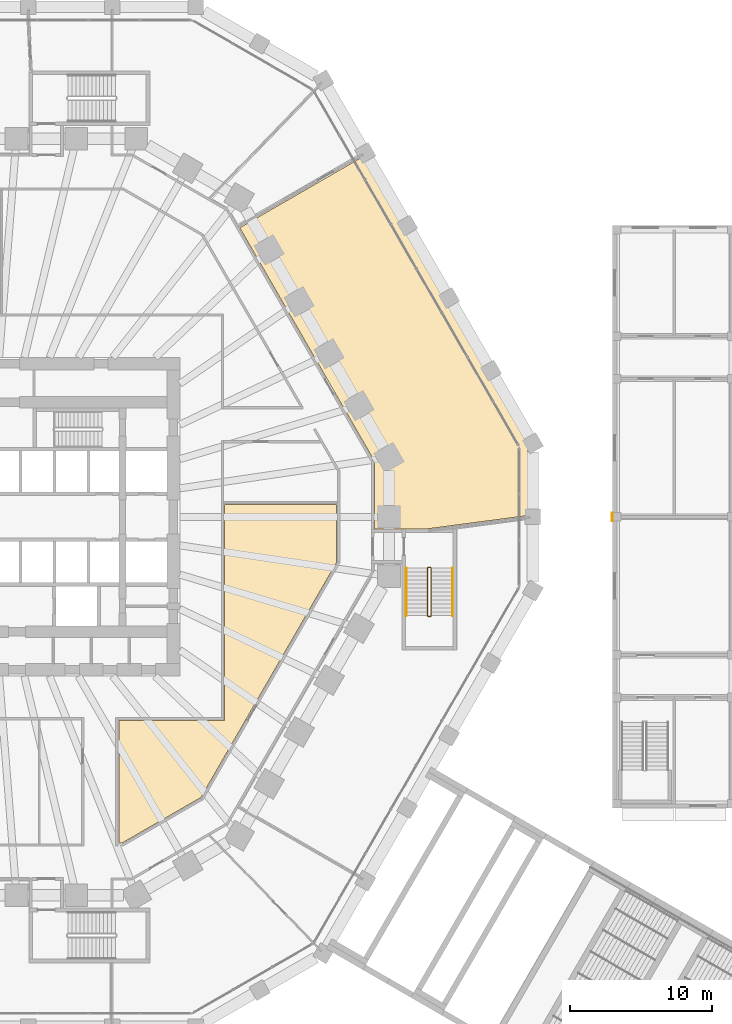
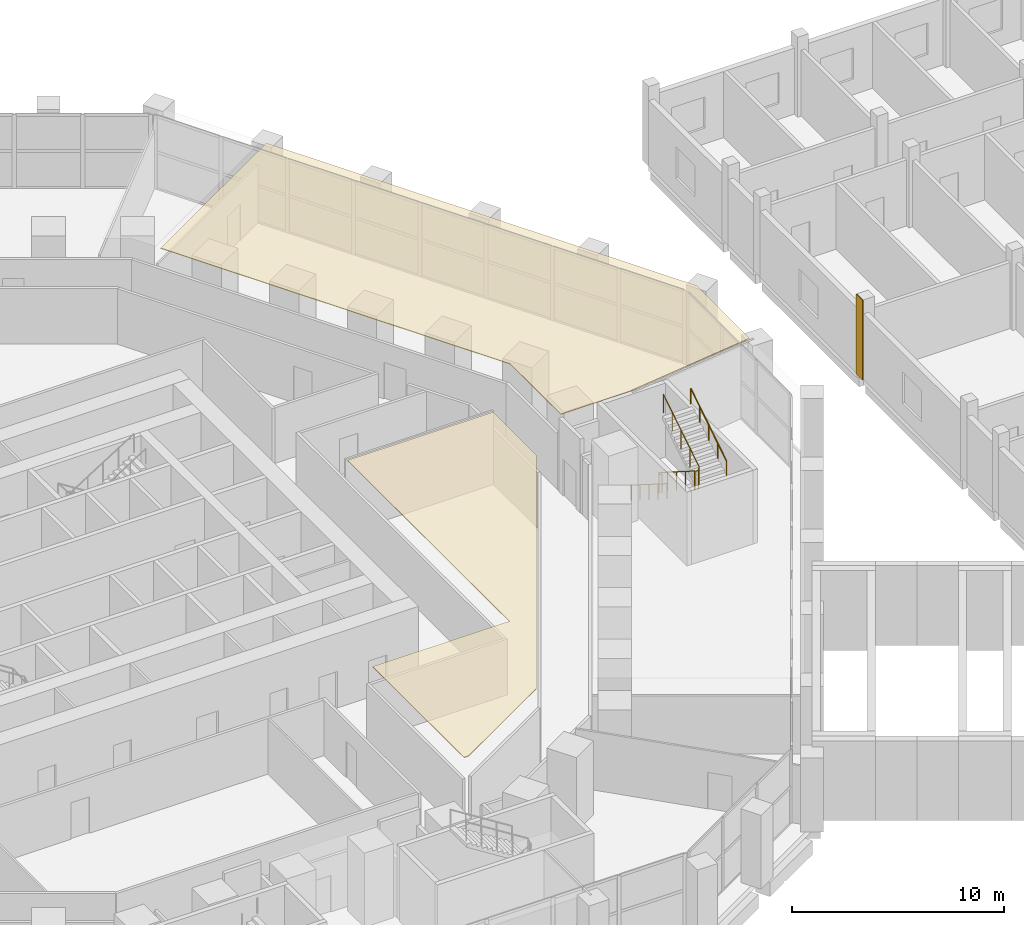
# One storey, part 36 of 38: 3 coverings, 3 railings.
"""IFC4 building model written with IfcOpenShell, lengths in metres."""

from ifc_helpers import new_model, si_unit, direction, frame, origin, origin_2d, place, context, subcontext, project, spatial, polyline, rectangle, circle, outline, extrude, material, layer, layer_set, type_object, element, save


model = new_model("IFC4")

# Units and contexts
model_context = context("Model", 3, precision=1e-05, world=origin(), true_north=direction((0.0, 1.0)))
body_context = subcontext(model_context, "Body", "Model", "MODEL_VIEW")
ifc_project = project(units=[si_unit("LENGTHUNIT", "METRE"), si_unit("AREAUNIT", "SQUARE_METRE"), si_unit("VOLUMEUNIT", "CUBIC_METRE"), si_unit("PLANEANGLEUNIT", "RADIAN"), si_unit("MASSUNIT", "GRAM", prefix="KILO")], contexts=[model_context])

# Site, building, storey
site_placement = place(None, origin())
site = spatial("IfcSite", under=ifc_project, at=site_placement, CompositionType="ELEMENT")
building_placement = place(site_placement, origin())
building = spatial("IfcBuilding", under=site, at=building_placement, Name="Frailejon Research Tower", CompositionType="ELEMENT")
storey_placement = place(building_placement, frame((0.0, 0.0, 5.60009765625)))
storey = spatial("IfcBuildingStorey", under=building, at=storey_placement, Name="L01", CompositionType="ELEMENT", Elevation=5.60009765625)

# Covering
ifc_material_1 = material(Name="Aluminium cover plate", Category="aluminium")
covering_type_1 = type_object("IfcCoveringType", Name="HC joint cover", PredefinedType="USERDEFINED", material=ifc_material_1)
covering_1_placement = place(storey_placement, frame((44.175048828125, 0.0, -0.000244140625), z_axis=(0.0, 0.0, 1.0), x_axis=(1.0, 0.0, 0.0)))
element("IfcCovering", 1, at=covering_1_placement, inside=storey, type_object=covering_type_1, Name="Movement joint cover L01", ObjectType="MOVEMENT JOINT COVER", PredefinedType="USERDEFINED", context=body_context, shape_type="SweptSolid", body=[
    extrude(rectangle(XDim=0.050048828125, YDim=0.60009765625, at=origin_2d()), origin(), (0.0, 0.0, 1.0), 4.60009765625),
])

# Railings
ifc_material_2 = material(Name="Stainless steel", Category="steel")
railing_type_1 = type_object("IfcRailingType", Name="Stair guard 1100", PredefinedType="GUARDRAIL", material=ifc_material_2)
railing_1_placement = place(storey_placement, frame((31.337890625, -3.56884765625, 0.0)))
element("IfcRailing", 2, at=railing_1_placement, inside=storey, type_object=railing_type_1, Name="L01 PS5 stair guard 1", PredefinedType="GUARDRAIL", context=body_context, shape_type="SweptSolid", body=[
    extrude(circle(Radius=0.02392578125, at=origin_2d()), frame((0.0, 0.0, 1.076171875), z_axis=(-1.0, 0.0, 0.0), x_axis=(0.0, -1.0, 0.0)), (0.0, 0.0, 1.0), 0.150146484375),
    extrude(circle(Radius=0.02392578125, at=origin_2d()), frame((-0.150146484375, 0.0, 1.076171875), z_axis=(-0.262858103699, -0.262858103699, 0.928337888185), x_axis=(0.707106781187, -0.707106781187, 0.0)), (0.0, 0.0, 1.0), 0.1904296875),
    extrude(circle(Radius=0.02392578125, at=origin_2d()), frame((-0.2001953125, -0.050048828125, 1.2529296875), z_axis=(0.0, -0.845372108799, 0.534177870812), x_axis=(1.0, 0.0, 0.0)), (0.0, 0.0, 1.0), 3.974365234375),
    extrude(circle(Radius=0.02392578125, at=origin_2d()), frame((-0.2001953125, -3.409912109375, 3.3759765625), z_axis=(0.707106781187, -0.707106781187, 0.0), x_axis=(0.707106781187, 0.707106781187, 0.0)), (0.0, 0.0, 1.0), 0.07080078125),
    extrude(circle(Radius=0.02392578125, at=origin_2d()), frame((-0.150146484375, -3.4599609375, 3.3759765625), z_axis=(1.0, 0.0, 0.0), x_axis=(0.0, 1.0, 0.0)), (0.0, 0.0, 1.0), 0.150146484375),
    extrude(circle(Radius=0.02392578125, at=origin_2d()), frame((0.0, -3.4599609375, 3.3759765625), z_axis=(0.261352522353, 0.262633662168, 0.928826366204), x_axis=(-0.708833529934, 0.705375805398, 0.0)), (0.0, 0.0, 1.0), 0.190673828125),
    extrude(circle(Radius=0.02392578125, at=origin_2d()), frame((0.0498046875, -3.409912109375, 3.552734375), z_axis=(0.0, 0.845372108799, 0.534177870812), x_axis=(-1.0, 0.0, 0.0)), (0.0, 0.0, 1.0), 3.974365234375),
    extrude(circle(Radius=0.02099609375, at=origin_2d()), origin(), (0.0, 0.0, 1.0), 1.052001953125),
    extrude(circle(Radius=0.02099609375, at=origin_2d()), frame((-0.150146484375, 0.0, 0.0)), (0.0, 0.0, 1.0), 1.052001953125),
    extrude(circle(Radius=0.02099609375, at=origin_2d()), frame((-0.2001953125, -0.050048828125, 0.1767578125)), (0.0, 0.0, 1.0), 1.052001953125),
    extrude(circle(Radius=0.02099609375, at=origin_2d()), frame((-0.2001953125, -0.89013671875, 0.70751953125)), (0.0, 0.0, 1.0), 1.052001953125),
    extrude(circle(Radius=0.02099609375, at=origin_2d()), frame((-0.2001953125, -1.72998046875, 1.23828125)), (0.0, 0.0, 1.0), 1.052001953125),
    extrude(circle(Radius=0.02099609375, at=origin_2d()), frame((-0.2001953125, -2.56982421875, 1.76904296875)), (0.0, 0.0, 1.0), 1.052001953125),
    extrude(circle(Radius=0.02099609375, at=origin_2d()), frame((-0.2001953125, -3.409912109375, 2.2998046875)), (0.0, 0.0, 1.0), 1.052001953125),
    extrude(circle(Radius=0.02099609375, at=origin_2d()), frame((-0.150146484375, -3.4599609375, 2.2998046875)), (0.0, 0.0, 1.0), 1.052001953125),
    extrude(circle(Radius=0.02099609375, at=origin_2d()), frame((0.0, -3.4599609375, 2.2998046875)), (0.0, 0.0, 1.0), 1.052001953125),
    extrude(circle(Radius=0.02099609375, at=origin_2d()), frame((0.0498046875, -3.409912109375, 2.476806640625)), (0.0, 0.0, 1.0), 1.052001953125),
    extrude(circle(Radius=0.02099609375, at=origin_2d()), frame((0.0498046875, -2.56982421875, 3.007568359375)), (0.0, 0.0, 1.0), 1.052001953125),
    extrude(circle(Radius=0.02099609375, at=origin_2d()), frame((0.0498046875, -1.72998046875, 3.538330078125)), (0.0, 0.0, 1.0), 1.052001953125),
    extrude(circle(Radius=0.02099609375, at=origin_2d()), frame((0.0498046875, -0.89013671875, 4.069091796875)), (0.0, 0.0, 1.0), 1.052001953125),
    extrude(circle(Radius=0.02099609375, at=origin_2d()), frame((0.0498046875, -0.050048828125, 4.599853515625)), (0.0, 0.0, 1.0), 1.052001953125),
])
ifc_material_3 = material(Name="Stainless steel", Category="steel")
railing_type_2 = type_object("IfcRailingType", Name="Stair handrail 900", PredefinedType="HANDRAIL", material=ifc_material_3)
railing_2_placement = place(storey_placement, frame((29.6376953125, -3.618896484375, 0.1767578125)))
element("IfcRailing", 3, at=railing_2_placement, inside=storey, type_object=railing_type_2, Name="L01 PS5 stair handrail 1", PredefinedType="HANDRAIL", context=body_context, shape_type="SweptSolid", body=[
    extrude(circle(Radius=0.02392578125, at=origin_2d()), frame((0.0, 0.0, 0.8759765625), z_axis=(0.0, -0.845372108799, 0.534177870812), x_axis=(1.0, 0.0, 0.0)), (0.0, 0.0, 1.0), 3.974365234375),
    extrude(circle(Radius=0.02099609375, at=origin_2d()), origin(), (0.0, 0.0, 1.0), 0.851806640625),
    extrude(circle(Radius=0.02099609375, at=origin_2d()), frame((0.0, -0.83984375, 0.53076171875)), (0.0, 0.0, 1.0), 0.851806640625),
    extrude(circle(Radius=0.02099609375, at=origin_2d()), frame((0.0, -1.679931640625, 1.0615234375)), (0.0, 0.0, 1.0), 0.851806640625),
    extrude(circle(Radius=0.02099609375, at=origin_2d()), frame((0.0, -2.52001953125, 1.59228515625)), (0.0, 0.0, 1.0), 0.851806640625),
    extrude(circle(Radius=0.02099609375, at=origin_2d()), frame((0.0, -3.35986328125, 2.123046875)), (0.0, 0.0, 1.0), 0.851806640625),
])
railing_3_placement = place(storey_placement, frame((32.8876953125, -6.978759765625, 2.476806640625)))
element("IfcRailing", 4, at=railing_3_placement, inside=storey, type_object=railing_type_2, Name="L01 PS5 stair handrail 2", PredefinedType="HANDRAIL", context=body_context, shape_type="SweptSolid", body=[
    extrude(circle(Radius=0.02392578125, at=origin_2d()), frame((0.0, 0.0, 0.8759765625), z_axis=(0.0, 0.845372108799, 0.534177870812), x_axis=(-1.0, 0.0, 0.0)), (0.0, 0.0, 1.0), 3.974365234375),
    extrude(circle(Radius=0.02099609375, at=origin_2d()), origin(), (0.0, 0.0, 1.0), 0.851806640625),
    extrude(circle(Radius=0.02099609375, at=origin_2d()), frame((0.0, 0.83984375, 0.53076171875)), (0.0, 0.0, 1.0), 0.851806640625),
    extrude(circle(Radius=0.02099609375, at=origin_2d()), frame((0.0, 1.679931640625, 1.0615234375)), (0.0, 0.0, 1.0), 0.851806640625),
    extrude(circle(Radius=0.02099609375, at=origin_2d()), frame((0.0, 2.52001953125, 1.59228515625)), (0.0, 0.0, 1.0), 0.851806640625),
    extrude(circle(Radius=0.02099609375, at=origin_2d()), frame((0.0, 3.35986328125, 2.123046875)), (0.0, 0.0, 1.0), 0.851806640625),
])

# Coverings
ifc_material_4 = material(Name="Mineral fibre ceiling board")
ifc_layer = layer(ifc_material_4, 0.0400390625)
ifc_layer_set = layer_set([ifc_layer], Name="Suspended ceiling 40")
covering_type_2 = type_object("IfcCoveringType", Name="Suspended ceiling 40", PredefinedType="CEILING", material=ifc_layer_set)
covering_2_placement = place(storey_placement, frame((0.0, 0.0, 4.2099609375)))
element("IfcCovering", 5, at=covering_2_placement, inside=storey, type_object=covering_type_2, Name="Ceiling Conference foyer L01-008", PredefinedType="CEILING", context=body_context, shape_type="SweptSolid", body=[
    extrude(outline(polyline([(27.40283203125, -0.853759765625), (31.069091796875, -0.853759765625), (38.229248046875, 0.09619140625), (38.229248046875, 5.10498046875), (26.51708984375, 25.39111328125), (17.8828125, 20.406005859375), (27.40283203125, 3.9169921875), (27.40283203125, -0.853759765625)])), origin(), (0.0, 0.0, 1.0), 0.0400390625),
])
covering_3_placement = place(storey_placement, frame((0.0, 0.0, 4.2099609375)))
element("IfcCovering", 6, at=covering_3_placement, inside=storey, type_object=covering_type_2, Name="Ceiling Conference hall L01-030", PredefinedType="CEILING", context=body_context, shape_type="SweptSolid", body=[
    extrude(outline(polyline([(9.340087890625, -14.389892578125), (9.340087890625, -23.010009765625), (9.591064453125, -23.010009765625), (15.131591796875, -19.811279296875), (24.722900390625, -3.19873046875), (24.722900390625, 0.886962890625), (16.7900390625, 0.886962890625), (16.7900390625, -14.389892578125), (9.340087890625, -14.389892578125)])), origin(), (0.0, 0.0, 1.0), 0.0400390625),
])

save(model, "model.ifc")
